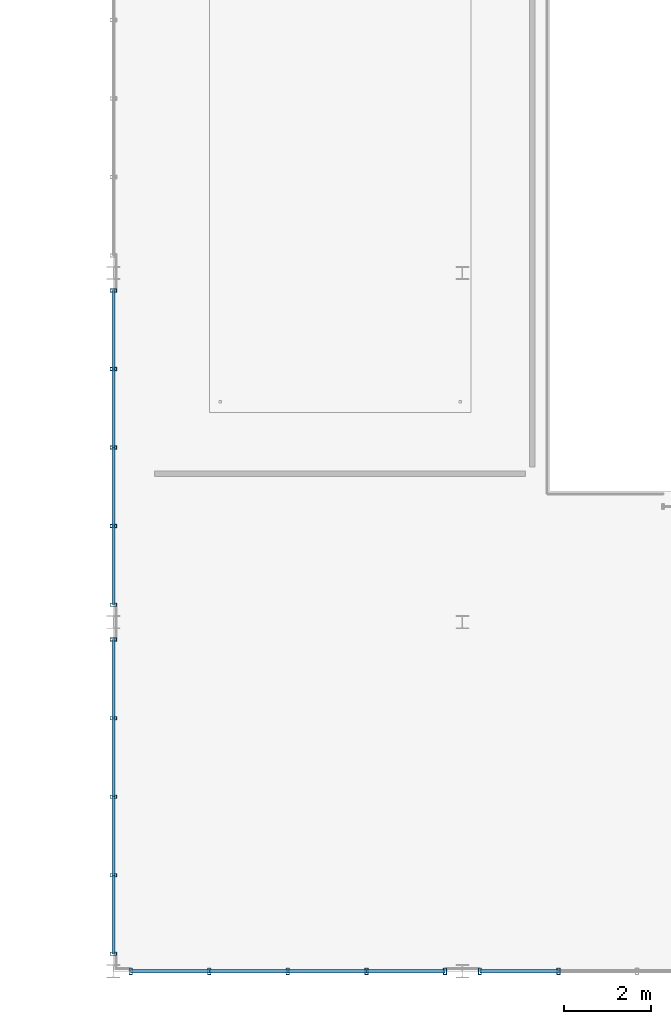
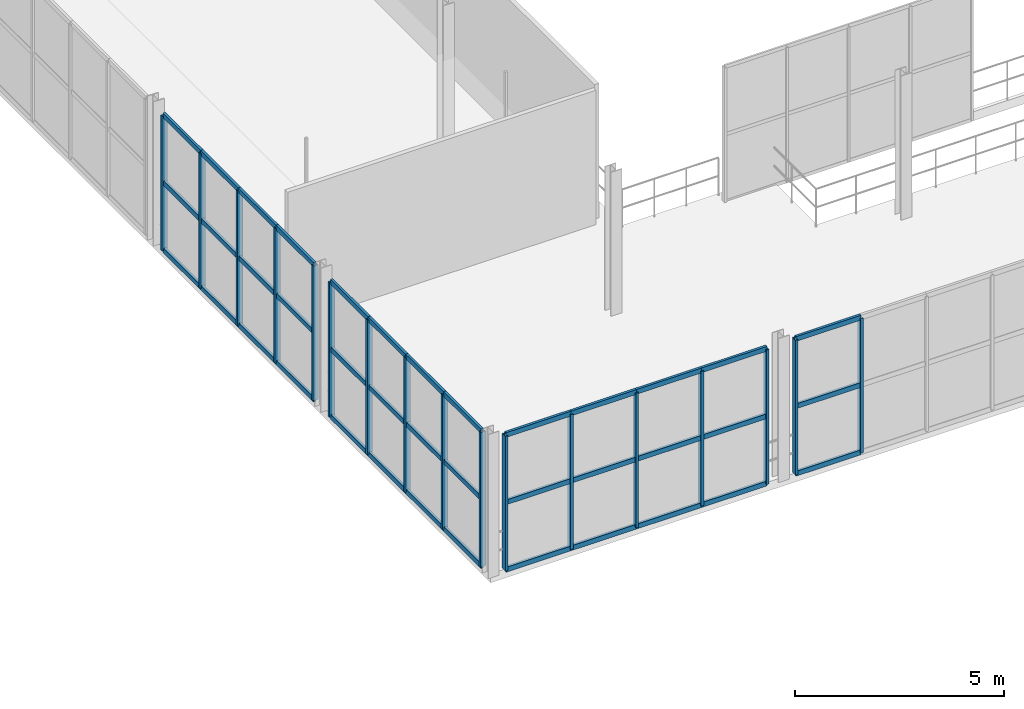
# One storey, part 12 of 67: 56 members, 4 elements without a shape of their own.
"""IFC4 building model written with IfcOpenShell, lengths in metres."""

import ifcopenshell
import ifcopenshell.guid

model = None  # the IFC model being written
_history = None  # IfcOwnerHistory: only IFC2X3 demands one
_inside = {}  # id of a spatial element -> (the spatial element, [elements in it])
_under = {}  # id of a project, library or spatial element -> (it, [spatial elements below it])
_declared = {}  # id of a project -> (the project, [libraries it declares])
_typed = {}  # id of a type object -> (the type object, [elements of that type])
_made_of = {}  # id of a material, layer set ... -> (it, [elements and type objects made of it])


def new_model(schema):
    """Start an empty IFC model of exactly this schema.

    Asked for "IFC4X3", IfcOpenShell would pick the latest addendum, in which some entities
    have other attributes; the version numbers below select the first issue.
    IFC2X3 requires an IfcOwnerHistory on every rooted entity: one is made here for all.
    """
    global model, _history
    if schema == "IFC4X3":
        model = ifcopenshell.file(schema_version=(4, 3, 0, 0))
    else:
        model = ifcopenshell.file(schema=schema)
    _inside.clear()
    _under.clear()
    _declared.clear()
    _typed.clear()
    _made_of.clear()
    _history = None
    if model.schema == "IFC2X3":
        org = make("IfcOrganization", Name="unknown")
        user = make(
            "IfcPersonAndOrganization",
            ThePerson=make("IfcPerson", FamilyName="unknown"),
            TheOrganization=org,
        )
        app = make(
            "IfcApplication",
            ApplicationDeveloper=org,
            Version="unknown",
            ApplicationFullName="unknown",
            ApplicationIdentifier="unknown",
        )
        _history = make(
            "IfcOwnerHistory",
            OwningUser=user,
            OwningApplication=app,
            ChangeAction="ADDED",
            CreationDate=0,
        )
    return model


def make(cls, **values):
    """One entity of the class cls with the attributes given. An attribute that is None is left unset."""
    return model.create_entity(
        cls, **{name: value for name, value in values.items() if value is not None}
    )


def rooted(cls, **values):
    """An entity with a GlobalId (a new one), such as an element, a storey or a relation."""
    return make(cls, GlobalId=ifcopenshell.guid.new(), OwnerHistory=_history, **values)


def si_unit(unit_type, name, prefix=None):
    """IfcSIUnit, for example si_unit("LENGTHUNIT", "METRE", prefix="MILLI")."""
    return make("IfcSIUnit", UnitType=unit_type, Prefix=prefix, Name=name)


def assignment(units):
    """IfcUnitAssignment: the units of a project."""
    return None if units is None else make("IfcUnitAssignment", Units=units)


def point(xyz):
    """IfcCartesianPoint."""
    return None if xyz is None else make("IfcCartesianPoint", Coordinates=xyz)


def direction(xyz):
    """IfcDirection."""
    return None if xyz is None else make("IfcDirection", DirectionRatios=xyz)


def frame(location, z_axis=None, x_axis=None):
    """IfcAxis2Placement3D, a coordinate frame: its origin and axes. An axis left out is left unset."""
    return make(
        "IfcAxis2Placement3D",
        Location=point(location),
        Axis=direction(z_axis),
        RefDirection=direction(x_axis),
    )


def frame_2d(location, x_axis=None):
    """IfcAxis2Placement2D, a coordinate frame in the plane: its origin and x axis."""
    return make(
        "IfcAxis2Placement2D", Location=point(location), RefDirection=direction(x_axis)
    )


def origin():
    """The frame at (0, 0, 0) with its axes left unset."""
    return frame((0.0, 0.0, 0.0))


def origin_2d():
    """The frame at (0, 0) in the plane with its x axis left unset."""
    return frame_2d((0.0, 0.0))


def place(relative_to, where):
    """IfcLocalPlacement: puts the frame where relative to a parent placement (None: the world)."""
    return make(
        "IfcLocalPlacement", PlacementRelTo=relative_to, RelativePlacement=where
    )


def context(
    kind, dimensions, precision=None, world=None, true_north=None, identifier=None
):
    """IfcGeometricRepresentationContext, for example the 3D "Model" context."""
    return make(
        "IfcGeometricRepresentationContext",
        ContextIdentifier=identifier,
        ContextType=kind,
        CoordinateSpaceDimension=dimensions,
        Precision=precision,
        WorldCoordinateSystem=world,
        TrueNorth=true_north,
    )


def subcontext(parent, identifier, kind, view, scale=None):
    """IfcGeometricRepresentationSubContext, for example "Body" below "Model"."""
    return make(
        "IfcGeometricRepresentationSubContext",
        ContextIdentifier=identifier,
        ContextType=kind,
        ParentContext=parent,
        TargetScale=scale,
        TargetView=view,
    )


def project(units=None, contexts=None):
    """IfcProject with its units and contexts."""
    return rooted(
        "IfcProject",
        Name="project",
        RepresentationContexts=contexts,
        UnitsInContext=assignment(units),
    )


def spatial(cls, under=None, at=None, **own):
    """A site, building, storey or space (cls), placed at a placement, below another one or the project."""
    s = rooted(cls, ObjectPlacement=at, **own)
    if under is not None:
        _under.setdefault(under.id(), (under, []))[1].append(s)
    return s


def profile(cls, at=None, kind="AREA", **sizes):
    """A parametric profile (cls). Its sizes go by their IFC names, for example OverallWidth=200.0."""
    return make(cls, ProfileType=kind, Position=at, **sizes)


def hollow_rectangle(**sizes):
    """IfcRectangleHollowProfileDef."""
    return profile("IfcRectangleHollowProfileDef", **sizes)


def extrude(swept, where, along, depth):
    """IfcExtrudedAreaSolid: the profile swept, set in the frame where, extruded along a direction by depth."""
    return make(
        "IfcExtrudedAreaSolid",
        SweptArea=swept,
        Position=where,
        ExtrudedDirection=direction(along),
        Depth=depth,
    )


def shape(context_of_items, identifier, shape_type, items):
    """IfcShapeRepresentation: the items that make up one representation, for example the "Body"."""
    return make(
        "IfcShapeRepresentation",
        ContextOfItems=context_of_items,
        RepresentationIdentifier=identifier,
        RepresentationType=shape_type,
        Items=items,
    )


def material(Name=None, Category=None):
    """IfcMaterial."""
    return make("IfcMaterial", Name=Name, Category=Category)


def material_profile(
    of_material, cross_section, Name=None, Category=None, Priority=None
):
    """IfcMaterialProfile: a cross section and its material."""
    return make(
        "IfcMaterialProfile",
        Name=Name,
        Material=of_material,
        Profile=cross_section,
        Priority=Priority,
        Category=Category,
    )


def profile_set(profiles, Name=None, composite=None):
    """IfcMaterialProfileSet."""
    return make(
        "IfcMaterialProfileSet",
        Name=Name,
        MaterialProfiles=profiles,
        CompositeProfile=composite,
    )


def made_of(thing, what):
    """Note that an element or type object is made of a material, layer set ...; save() writes the relation."""
    if what is not None:
        _made_of.setdefault(what.id(), (what, []))[1].append(thing)
    return thing


def type_object(cls, material=None, **own):
    """A type object (cls), such as IfcWallType, which elements share."""
    return made_of(rooted(cls, **own), material)


def element(
    cls,
    number,
    at=None,
    inside=None,
    cuts=None,
    type_object=None,
    material=None,
    context=None,
    identifier="Body",
    shape_type=None,
    held_by="IfcProductDefinitionShape",
    body=None,
    shapes=None,
    **own,
):
    """One element of the class cls, such as IfcWall. Its Tag is "e" and its number.

    at: its placement. inside: the storey or other place that contains it. cuts: it is an
    opening in that element (IfcRelVoidsElement). A single representation is given by context,
    identifier, shape_type and body (its items); several are given by shapes. held_by: the class
    of the entity that holds the representations. save() writes the other relations.
    """
    e = rooted(cls, Tag="e%d" % number, ObjectPlacement=at, **own)
    if body is not None:
        shapes = [shape(context, identifier, shape_type, body)]
    if shapes is not None:
        e.Representation = make(held_by, Representations=shapes)
    if inside is not None:
        _inside.setdefault(inside.id(), (inside, []))[1].append(e)
    if cuts is not None:
        rooted(
            "IfcRelVoidsElement", RelatingBuildingElement=cuts, RelatedOpeningElement=e
        )
    if type_object is not None:
        _typed.setdefault(type_object.id(), (type_object, []))[1].append(e)
    return made_of(e, material)


def aggregate(whole, parts):
    """IfcRelAggregates: a whole, such as a stair, and the parts it consists of."""
    return rooted("IfcRelAggregates", RelatingObject=whole, RelatedObjects=parts)


def save(model, path):
    """Write the relations noted so far, then the file.

    IfcRelAggregates (storeys below a building ...), IfcRelContainedInSpatialStructure (elements
    in a storey), IfcRelDefinesByType, IfcRelAssociatesMaterial and IfcRelDeclares: one each for
    every whole, place, type object, material and project.
    """
    for whole, parts in _under.values():
        aggregate(whole, parts)
    for where, things in _inside.values():
        rooted(
            "IfcRelContainedInSpatialStructure",
            RelatedElements=things,
            RelatingStructure=where,
        )
    for kind, things in _typed.values():
        rooted("IfcRelDefinesByType", RelatedObjects=things, RelatingType=kind)
    for what, things in _made_of.values():
        rooted("IfcRelAssociatesMaterial", RelatedObjects=things, RelatingMaterial=what)
    for by, libraries in _declared.values():
        rooted("IfcRelDeclares", RelatingContext=by, RelatedDefinitions=libraries)
    model.write(path)


model = new_model("IFC4")

# Units and contexts
model_context = context("Model", 3, precision=1e-05, world=origin(), true_north=direction((0.0, 1.0)))
body_context = subcontext(model_context, "Body", "Model", "MODEL_VIEW")
ifc_project = project(units=[si_unit("LENGTHUNIT", "METRE"), si_unit("AREAUNIT", "SQUARE_METRE"), si_unit("VOLUMEUNIT", "CUBIC_METRE"), si_unit("PLANEANGLEUNIT", "RADIAN"), si_unit("MASSUNIT", "GRAM", prefix="KILO")], contexts=[model_context])

# Site, building, storey
site_placement = place(None, origin())
site = spatial("IfcSite", under=ifc_project, at=site_placement, CompositionType="ELEMENT")
building_placement = place(site_placement, origin())
building = spatial("IfcBuilding", under=site, at=building_placement, Name="Sundkrona Museum", CompositionType="ELEMENT")
storey_placement = place(building_placement, frame((0.0, 0.0, 21.800048828125)))
storey = spatial("IfcBuildingStorey", under=building, at=storey_placement, Name="L04", CompositionType="ELEMENT", Elevation=21.800048828125)

# Curtain wall, members
ifc_material_1 = material(Name="Unitised Aluminium-Steel and Ceramic-Clad Curtain Walling", Category="steel")
curtain_wall_type = type_object("IfcCurtainWallType", Name="CW-AT-72x38", PredefinedType="NOTDEFINED", material=ifc_material_1)
curtain_wall_1_placement = place(storey_placement, origin())
curtain_wall_1 = element("IfcCurtainWall", 1, at=curtain_wall_1_placement, inside=storey, type_object=curtain_wall_type, Name="L04 Curtain Wall CW-L04-077", PredefinedType="NOTDEFINED")
ifc_material_2 = material(Name="Aluminium EN AW-6060 T66", Category="aluminium")
ifc_material_profile_1 = material_profile(ifc_material_2, hollow_rectangle(XDim=0.074951171875, YDim=0.14990234375, WallThickness=0.00634765625, at=origin_2d()), Name="RHS 150x75x6.3")
ifc_profile_set_1 = profile_set([ifc_material_profile_1], Name="Aluminium EN AW-6060 T66")
member_type_1 = type_object("IfcMemberType", Name="ML-150", PredefinedType="MULLION", material=ifc_profile_set_1)
member_1_placement = place(storey_placement, frame((80.39990234375, 0.0, -0.004150390625), z_axis=(0.0, 0.0, 1.0), x_axis=(1.0, 0.0, 0.0)))
member_1 = element("IfcMember", 2, at=member_1_placement, type_object=member_type_1, Name="CW-L04-077 Mullion 01", PredefinedType="MULLION", context=body_context, shape_type="SweptSolid", body=[
    extrude(hollow_rectangle(XDim=0.074951171875, YDim=0.14990234375, WallThickness=0.00634765625, at=origin_2d()), origin(), (0.0, 0.0, 1.0), 3.92822265625),
])
member_2_placement = place(storey_placement, frame((82.199951171875, 0.0, -0.004150390625), z_axis=(0.0, 0.0, 1.0), x_axis=(1.0, 0.0, 0.0)))
member_2 = element("IfcMember", 3, at=member_2_placement, type_object=member_type_1, Name="CW-L04-077 Mullion 02", PredefinedType="MULLION", context=body_context, shape_type="SweptSolid", body=[
    extrude(hollow_rectangle(XDim=0.074951171875, YDim=0.14990234375, WallThickness=0.00634765625, at=origin_2d()), origin(), (0.0, 0.0, 1.0), 3.92822265625),
])
member_3_placement = place(storey_placement, frame((84.0, 0.0, -0.004150390625), z_axis=(0.0, 0.0, 1.0), x_axis=(1.0, 0.0, 0.0)))
member_3 = element("IfcMember", 4, at=member_3_placement, type_object=member_type_1, Name="CW-L04-077 Mullion 03", PredefinedType="MULLION", context=body_context, shape_type="SweptSolid", body=[
    extrude(hollow_rectangle(XDim=0.074951171875, YDim=0.14990234375, WallThickness=0.00634765625, at=origin_2d()), origin(), (0.0, 0.0, 1.0), 3.92822265625),
])
member_4_placement = place(storey_placement, frame((85.800048828125, 0.0, -0.004150390625), z_axis=(0.0, 0.0, 1.0), x_axis=(1.0, 0.0, 0.0)))
member_4 = element("IfcMember", 5, at=member_4_placement, type_object=member_type_1, Name="CW-L04-077 Mullion 04", PredefinedType="MULLION", context=body_context, shape_type="SweptSolid", body=[
    extrude(hollow_rectangle(XDim=0.074951171875, YDim=0.14990234375, WallThickness=0.00634765625, at=origin_2d()), origin(), (0.0, 0.0, 1.0), 3.92822265625),
])
member_5_placement = place(storey_placement, frame((87.60009765625, 0.0, -0.004150390625), z_axis=(0.0, 0.0, 1.0), x_axis=(1.0, 0.0, 0.0)))
member_5 = element("IfcMember", 6, at=member_5_placement, type_object=member_type_1, Name="CW-L04-077 Mullion 05", PredefinedType="MULLION", context=body_context, shape_type="SweptSolid", body=[
    extrude(hollow_rectangle(XDim=0.074951171875, YDim=0.14990234375, WallThickness=0.00634765625, at=origin_2d()), origin(), (0.0, 0.0, 1.0), 3.92822265625),
])

curtain_wall_2_placement = place(storey_placement, origin())
curtain_wall_2 = element("IfcCurtainWall", 7, at=curtain_wall_2_placement, inside=storey, type_object=curtain_wall_type, Name="L04 Curtain Wall CW-L04-078", PredefinedType="NOTDEFINED")
member_6_placement = place(storey_placement, frame((88.39990234375, 0.0, -0.004150390625), z_axis=(0.0, 0.0, 1.0), x_axis=(1.0, 0.0, 0.0)))
member_6 = element("IfcMember", 8, at=member_6_placement, type_object=member_type_1, Name="CW-L04-078 Mullion 01", PredefinedType="MULLION", context=body_context, shape_type="SweptSolid", body=[
    extrude(hollow_rectangle(XDim=0.074951171875, YDim=0.14990234375, WallThickness=0.00634765625, at=origin_2d()), origin(), (0.0, 0.0, 1.0), 3.92822265625),
])
member_7_placement = place(storey_placement, frame((90.199951171875, 0.0, -0.004150390625), z_axis=(0.0, 0.0, 1.0), x_axis=(1.0, 0.0, 0.0)))
member_7 = element("IfcMember", 9, at=member_7_placement, type_object=member_type_1, Name="CW-L04-078 Mullion 02", PredefinedType="MULLION", context=body_context, shape_type="SweptSolid", body=[
    extrude(hollow_rectangle(XDim=0.074951171875, YDim=0.14990234375, WallThickness=0.00634765625, at=origin_2d()), origin(), (0.0, 0.0, 1.0), 3.92822265625),
])

curtain_wall_3_placement = place(storey_placement, origin())
curtain_wall_3 = element("IfcCurtainWall", 10, at=curtain_wall_3_placement, inside=storey, type_object=curtain_wall_type, Name="L04 Curtain Wall CW-L04-082", PredefinedType="NOTDEFINED")
member_8_placement = place(storey_placement, frame((80.0, 0.39990234375, -0.004150390625), z_axis=(0.0, 0.0, 1.0), x_axis=(0.0, 1.0, 0.0)))
member_8 = element("IfcMember", 11, at=member_8_placement, type_object=member_type_1, Name="CW-L04-082 Mullion 01", PredefinedType="MULLION", context=body_context, shape_type="SweptSolid", body=[
    extrude(hollow_rectangle(XDim=0.074951171875, YDim=0.14990234375, WallThickness=0.00634765625, at=origin_2d()), origin(), (0.0, 0.0, 1.0), 3.92822265625),
])
member_9_placement = place(storey_placement, frame((80.0, 2.199951171875, -0.004150390625), z_axis=(0.0, 0.0, 1.0), x_axis=(0.0, 1.0, 0.0)))
member_9 = element("IfcMember", 12, at=member_9_placement, type_object=member_type_1, Name="CW-L04-082 Mullion 02", PredefinedType="MULLION", context=body_context, shape_type="SweptSolid", body=[
    extrude(hollow_rectangle(XDim=0.074951171875, YDim=0.14990234375, WallThickness=0.00634765625, at=origin_2d()), origin(), (0.0, 0.0, 1.0), 3.92822265625),
])
member_10_placement = place(storey_placement, frame((80.0, 4.0, -0.004150390625), z_axis=(0.0, 0.0, 1.0), x_axis=(0.0, 1.0, 0.0)))
member_10 = element("IfcMember", 13, at=member_10_placement, type_object=member_type_1, Name="CW-L04-082 Mullion 03", PredefinedType="MULLION", context=body_context, shape_type="SweptSolid", body=[
    extrude(hollow_rectangle(XDim=0.074951171875, YDim=0.14990234375, WallThickness=0.00634765625, at=origin_2d()), origin(), (0.0, 0.0, 1.0), 3.92822265625),
])
member_11_placement = place(storey_placement, frame((80.0, 5.800048828125, -0.004150390625), z_axis=(0.0, 0.0, 1.0), x_axis=(0.0, 1.0, 0.0)))
member_11 = element("IfcMember", 14, at=member_11_placement, type_object=member_type_1, Name="CW-L04-082 Mullion 04", PredefinedType="MULLION", context=body_context, shape_type="SweptSolid", body=[
    extrude(hollow_rectangle(XDim=0.074951171875, YDim=0.14990234375, WallThickness=0.00634765625, at=origin_2d()), origin(), (0.0, 0.0, 1.0), 3.92822265625),
])
member_12_placement = place(storey_placement, frame((80.0, 7.60009765625, -0.004150390625), z_axis=(0.0, 0.0, 1.0), x_axis=(0.0, 1.0, 0.0)))
member_12 = element("IfcMember", 15, at=member_12_placement, type_object=member_type_1, Name="CW-L04-082 Mullion 05", PredefinedType="MULLION", context=body_context, shape_type="SweptSolid", body=[
    extrude(hollow_rectangle(XDim=0.074951171875, YDim=0.14990234375, WallThickness=0.00634765625, at=origin_2d()), origin(), (0.0, 0.0, 1.0), 3.92822265625),
])

curtain_wall_4_placement = place(storey_placement, origin())
curtain_wall_4 = element("IfcCurtainWall", 16, at=curtain_wall_4_placement, inside=storey, type_object=curtain_wall_type, Name="L04 Curtain Wall CW-L04-083", PredefinedType="NOTDEFINED")
member_13_placement = place(storey_placement, frame((80.0, 8.39990234375, -0.004150390625), z_axis=(0.0, 0.0, 1.0), x_axis=(0.0, 1.0, 0.0)))
member_13 = element("IfcMember", 17, at=member_13_placement, type_object=member_type_1, Name="CW-L04-083 Mullion 01", PredefinedType="MULLION", context=body_context, shape_type="SweptSolid", body=[
    extrude(hollow_rectangle(XDim=0.074951171875, YDim=0.14990234375, WallThickness=0.00634765625, at=origin_2d()), origin(), (0.0, 0.0, 1.0), 3.92822265625),
])
member_14_placement = place(storey_placement, frame((80.0, 10.199951171875, -0.004150390625), z_axis=(0.0, 0.0, 1.0), x_axis=(0.0, 1.0, 0.0)))
member_14 = element("IfcMember", 18, at=member_14_placement, type_object=member_type_1, Name="CW-L04-083 Mullion 02", PredefinedType="MULLION", context=body_context, shape_type="SweptSolid", body=[
    extrude(hollow_rectangle(XDim=0.074951171875, YDim=0.14990234375, WallThickness=0.00634765625, at=origin_2d()), origin(), (0.0, 0.0, 1.0), 3.92822265625),
])
member_15_placement = place(storey_placement, frame((80.0, 12.0, -0.004150390625), z_axis=(0.0, 0.0, 1.0), x_axis=(0.0, 1.0, 0.0)))
member_15 = element("IfcMember", 19, at=member_15_placement, type_object=member_type_1, Name="CW-L04-083 Mullion 03", PredefinedType="MULLION", context=body_context, shape_type="SweptSolid", body=[
    extrude(hollow_rectangle(XDim=0.074951171875, YDim=0.14990234375, WallThickness=0.00634765625, at=origin_2d()), origin(), (0.0, 0.0, 1.0), 3.92822265625),
])
member_16_placement = place(storey_placement, frame((80.0, 13.800048828125, -0.004150390625), z_axis=(0.0, 0.0, 1.0), x_axis=(0.0, 1.0, 0.0)))
member_16 = element("IfcMember", 20, at=member_16_placement, type_object=member_type_1, Name="CW-L04-083 Mullion 04", PredefinedType="MULLION", context=body_context, shape_type="SweptSolid", body=[
    extrude(hollow_rectangle(XDim=0.074951171875, YDim=0.14990234375, WallThickness=0.00634765625, at=origin_2d()), origin(), (0.0, 0.0, 1.0), 3.92822265625),
])
member_17_placement = place(storey_placement, frame((80.0, 15.60009765625, -0.004150390625), z_axis=(0.0, 0.0, 1.0), x_axis=(0.0, 1.0, 0.0)))
member_17 = element("IfcMember", 21, at=member_17_placement, type_object=member_type_1, Name="CW-L04-083 Mullion 05", PredefinedType="MULLION", context=body_context, shape_type="SweptSolid", body=[
    extrude(hollow_rectangle(XDim=0.074951171875, YDim=0.14990234375, WallThickness=0.00634765625, at=origin_2d()), origin(), (0.0, 0.0, 1.0), 3.92822265625),
])

# Member
ifc_material_profile_2 = material_profile(ifc_material_2, hollow_rectangle(XDim=0.070068359375, YDim=0.139892578125, WallThickness=0.0048828125, at=origin_2d()), Name="RHS 140x70x5.0")
ifc_profile_set_2 = profile_set([ifc_material_profile_2], Name="Aluminium EN AW-6060 T66")
member_type_2 = type_object("IfcMemberType", Name="TR-140", PredefinedType="USERDEFINED", material=ifc_profile_set_2)
member_18_placement = place(storey_placement, frame((80.39990234375, 0.0, -0.004150390625), z_axis=(1.0, 0.0, 0.0), x_axis=(0.0, 1.0, 0.0)))
member_18 = element("IfcMember", 22, at=member_18_placement, type_object=member_type_2, Name="CW-L04-077 Transom 01", ObjectType="TRANSOM", PredefinedType="USERDEFINED", context=body_context, shape_type="SweptSolid", body=[
    extrude(hollow_rectangle(XDim=0.070068359375, YDim=0.139892578125, WallThickness=0.0048828125, at=origin_2d()), origin(), (0.0, 0.0, 1.0), 1.800048828125),
])

member_19_placement = place(storey_placement, frame((80.39990234375, 0.0, 1.9599609375), z_axis=(1.0, 0.0, 0.0), x_axis=(0.0, 1.0, 0.0)))
member_19 = element("IfcMember", 23, at=member_19_placement, type_object=member_type_2, Name="CW-L04-077 Transom 02", ObjectType="TRANSOM", PredefinedType="USERDEFINED", context=body_context, shape_type="SweptSolid", body=[
    extrude(hollow_rectangle(XDim=0.070068359375, YDim=0.139892578125, WallThickness=0.0048828125, at=origin_2d()), origin(), (0.0, 0.0, 1.0), 1.800048828125),
])

member_20_placement = place(storey_placement, frame((80.39990234375, 0.0, 3.924072265625), z_axis=(1.0, 0.0, 0.0), x_axis=(0.0, 1.0, 0.0)))
member_20 = element("IfcMember", 24, at=member_20_placement, type_object=member_type_2, Name="CW-L04-077 Transom 03", ObjectType="TRANSOM", PredefinedType="USERDEFINED", context=body_context, shape_type="SweptSolid", body=[
    extrude(hollow_rectangle(XDim=0.070068359375, YDim=0.139892578125, WallThickness=0.0048828125, at=origin_2d()), origin(), (0.0, 0.0, 1.0), 1.800048828125),
])

member_21_placement = place(storey_placement, frame((82.199951171875, 0.0, -0.004150390625), z_axis=(1.0, 0.0, 0.0), x_axis=(0.0, 1.0, 0.0)))
member_21 = element("IfcMember", 25, at=member_21_placement, type_object=member_type_2, Name="CW-L04-077 Transom 04", ObjectType="TRANSOM", PredefinedType="USERDEFINED", context=body_context, shape_type="SweptSolid", body=[
    extrude(hollow_rectangle(XDim=0.070068359375, YDim=0.139892578125, WallThickness=0.0048828125, at=origin_2d()), origin(), (0.0, 0.0, 1.0), 1.800048828125),
])

member_22_placement = place(storey_placement, frame((82.199951171875, 0.0, 1.9599609375), z_axis=(1.0, 0.0, 0.0), x_axis=(0.0, 1.0, 0.0)))
member_22 = element("IfcMember", 26, at=member_22_placement, type_object=member_type_2, Name="CW-L04-077 Transom 05", ObjectType="TRANSOM", PredefinedType="USERDEFINED", context=body_context, shape_type="SweptSolid", body=[
    extrude(hollow_rectangle(XDim=0.070068359375, YDim=0.139892578125, WallThickness=0.0048828125, at=origin_2d()), origin(), (0.0, 0.0, 1.0), 1.800048828125),
])

member_23_placement = place(storey_placement, frame((82.199951171875, 0.0, 3.924072265625), z_axis=(1.0, 0.0, 0.0), x_axis=(0.0, 1.0, 0.0)))
member_23 = element("IfcMember", 27, at=member_23_placement, type_object=member_type_2, Name="CW-L04-077 Transom 06", ObjectType="TRANSOM", PredefinedType="USERDEFINED", context=body_context, shape_type="SweptSolid", body=[
    extrude(hollow_rectangle(XDim=0.070068359375, YDim=0.139892578125, WallThickness=0.0048828125, at=origin_2d()), origin(), (0.0, 0.0, 1.0), 1.800048828125),
])

member_24_placement = place(storey_placement, frame((84.0, 0.0, -0.004150390625), z_axis=(1.0, 0.0, 0.0), x_axis=(0.0, 1.0, 0.0)))
member_24 = element("IfcMember", 28, at=member_24_placement, type_object=member_type_2, Name="CW-L04-077 Transom 07", ObjectType="TRANSOM", PredefinedType="USERDEFINED", context=body_context, shape_type="SweptSolid", body=[
    extrude(hollow_rectangle(XDim=0.070068359375, YDim=0.139892578125, WallThickness=0.0048828125, at=origin_2d()), origin(), (0.0, 0.0, 1.0), 1.800048828125),
])

member_25_placement = place(storey_placement, frame((84.0, 0.0, 1.9599609375), z_axis=(1.0, 0.0, 0.0), x_axis=(0.0, 1.0, 0.0)))
member_25 = element("IfcMember", 29, at=member_25_placement, type_object=member_type_2, Name="CW-L04-077 Transom 08", ObjectType="TRANSOM", PredefinedType="USERDEFINED", context=body_context, shape_type="SweptSolid", body=[
    extrude(hollow_rectangle(XDim=0.070068359375, YDim=0.139892578125, WallThickness=0.0048828125, at=origin_2d()), origin(), (0.0, 0.0, 1.0), 1.800048828125),
])

member_26_placement = place(storey_placement, frame((84.0, 0.0, 3.924072265625), z_axis=(1.0, 0.0, 0.0), x_axis=(0.0, 1.0, 0.0)))
member_26 = element("IfcMember", 30, at=member_26_placement, type_object=member_type_2, Name="CW-L04-077 Transom 09", ObjectType="TRANSOM", PredefinedType="USERDEFINED", context=body_context, shape_type="SweptSolid", body=[
    extrude(hollow_rectangle(XDim=0.070068359375, YDim=0.139892578125, WallThickness=0.0048828125, at=origin_2d()), origin(), (0.0, 0.0, 1.0), 1.800048828125),
])

member_27_placement = place(storey_placement, frame((85.800048828125, 0.0, -0.004150390625), z_axis=(1.0, 0.0, 0.0), x_axis=(0.0, 1.0, 0.0)))
member_27 = element("IfcMember", 31, at=member_27_placement, type_object=member_type_2, Name="CW-L04-077 Transom 10", ObjectType="TRANSOM", PredefinedType="USERDEFINED", context=body_context, shape_type="SweptSolid", body=[
    extrude(hollow_rectangle(XDim=0.070068359375, YDim=0.139892578125, WallThickness=0.0048828125, at=origin_2d()), origin(), (0.0, 0.0, 1.0), 1.800048828125),
])

member_28_placement = place(storey_placement, frame((85.800048828125, 0.0, 1.9599609375), z_axis=(1.0, 0.0, 0.0), x_axis=(0.0, 1.0, 0.0)))
member_28 = element("IfcMember", 32, at=member_28_placement, type_object=member_type_2, Name="CW-L04-077 Transom 11", ObjectType="TRANSOM", PredefinedType="USERDEFINED", context=body_context, shape_type="SweptSolid", body=[
    extrude(hollow_rectangle(XDim=0.070068359375, YDim=0.139892578125, WallThickness=0.0048828125, at=origin_2d()), origin(), (0.0, 0.0, 1.0), 1.800048828125),
])

member_29_placement = place(storey_placement, frame((85.800048828125, 0.0, 3.924072265625), z_axis=(1.0, 0.0, 0.0), x_axis=(0.0, 1.0, 0.0)))
member_29 = element("IfcMember", 33, at=member_29_placement, type_object=member_type_2, Name="CW-L04-077 Transom 12", ObjectType="TRANSOM", PredefinedType="USERDEFINED", context=body_context, shape_type="SweptSolid", body=[
    extrude(hollow_rectangle(XDim=0.070068359375, YDim=0.139892578125, WallThickness=0.0048828125, at=origin_2d()), origin(), (0.0, 0.0, 1.0), 1.800048828125),
])

aggregate(curtain_wall_1, [member_1, member_2, member_3, member_4, member_5, member_18, member_19, member_20, member_21, member_22, member_23, member_24, member_25, member_26, member_27, member_28, member_29])

member_30_placement = place(storey_placement, frame((88.39990234375, 0.0, -0.004150390625), z_axis=(1.0, 0.0, 0.0), x_axis=(0.0, 1.0, 0.0)))
member_30 = element("IfcMember", 34, at=member_30_placement, type_object=member_type_2, Name="CW-L04-078 Transom 01", ObjectType="TRANSOM", PredefinedType="USERDEFINED", context=body_context, shape_type="SweptSolid", body=[
    extrude(hollow_rectangle(XDim=0.070068359375, YDim=0.139892578125, WallThickness=0.0048828125, at=origin_2d()), origin(), (0.0, 0.0, 1.0), 1.800048828125),
])

member_31_placement = place(storey_placement, frame((88.39990234375, 0.0, 1.9599609375), z_axis=(1.0, 0.0, 0.0), x_axis=(0.0, 1.0, 0.0)))
member_31 = element("IfcMember", 35, at=member_31_placement, type_object=member_type_2, Name="CW-L04-078 Transom 02", ObjectType="TRANSOM", PredefinedType="USERDEFINED", context=body_context, shape_type="SweptSolid", body=[
    extrude(hollow_rectangle(XDim=0.070068359375, YDim=0.139892578125, WallThickness=0.0048828125, at=origin_2d()), origin(), (0.0, 0.0, 1.0), 1.800048828125),
])

member_32_placement = place(storey_placement, frame((88.39990234375, 0.0, 3.924072265625), z_axis=(1.0, 0.0, 0.0), x_axis=(0.0, 1.0, 0.0)))
member_32 = element("IfcMember", 36, at=member_32_placement, type_object=member_type_2, Name="CW-L04-078 Transom 03", ObjectType="TRANSOM", PredefinedType="USERDEFINED", context=body_context, shape_type="SweptSolid", body=[
    extrude(hollow_rectangle(XDim=0.070068359375, YDim=0.139892578125, WallThickness=0.0048828125, at=origin_2d()), origin(), (0.0, 0.0, 1.0), 1.800048828125),
])

aggregate(curtain_wall_2, [member_6, member_7, member_30, member_31, member_32])

member_33_placement = place(storey_placement, frame((80.0, 0.39990234375, -0.004150390625), z_axis=(0.0, 1.0, 0.0), x_axis=(-1.0, 0.0, 0.0)))
member_33 = element("IfcMember", 37, at=member_33_placement, type_object=member_type_2, Name="CW-L04-082 Transom 01", ObjectType="TRANSOM", PredefinedType="USERDEFINED", context=body_context, shape_type="SweptSolid", body=[
    extrude(hollow_rectangle(XDim=0.070068359375, YDim=0.139892578125, WallThickness=0.0048828125, at=origin_2d()), origin(), (0.0, 0.0, 1.0), 1.800048828125),
])

member_34_placement = place(storey_placement, frame((80.0, 0.39990234375, 1.9599609375), z_axis=(0.0, 1.0, 0.0), x_axis=(-1.0, 0.0, 0.0)))
member_34 = element("IfcMember", 38, at=member_34_placement, type_object=member_type_2, Name="CW-L04-082 Transom 02", ObjectType="TRANSOM", PredefinedType="USERDEFINED", context=body_context, shape_type="SweptSolid", body=[
    extrude(hollow_rectangle(XDim=0.070068359375, YDim=0.139892578125, WallThickness=0.0048828125, at=origin_2d()), origin(), (0.0, 0.0, 1.0), 1.800048828125),
])

member_35_placement = place(storey_placement, frame((80.0, 0.39990234375, 3.924072265625), z_axis=(0.0, 1.0, 0.0), x_axis=(-1.0, 0.0, 0.0)))
member_35 = element("IfcMember", 39, at=member_35_placement, type_object=member_type_2, Name="CW-L04-082 Transom 03", ObjectType="TRANSOM", PredefinedType="USERDEFINED", context=body_context, shape_type="SweptSolid", body=[
    extrude(hollow_rectangle(XDim=0.070068359375, YDim=0.139892578125, WallThickness=0.0048828125, at=origin_2d()), origin(), (0.0, 0.0, 1.0), 1.800048828125),
])

member_36_placement = place(storey_placement, frame((80.0, 2.199951171875, -0.004150390625), z_axis=(0.0, 1.0, 0.0), x_axis=(-1.0, 0.0, 0.0)))
member_36 = element("IfcMember", 40, at=member_36_placement, type_object=member_type_2, Name="CW-L04-082 Transom 04", ObjectType="TRANSOM", PredefinedType="USERDEFINED", context=body_context, shape_type="SweptSolid", body=[
    extrude(hollow_rectangle(XDim=0.070068359375, YDim=0.139892578125, WallThickness=0.0048828125, at=origin_2d()), origin(), (0.0, 0.0, 1.0), 1.800048828125),
])

member_37_placement = place(storey_placement, frame((80.0, 2.199951171875, 1.9599609375), z_axis=(0.0, 1.0, 0.0), x_axis=(-1.0, 0.0, 0.0)))
member_37 = element("IfcMember", 41, at=member_37_placement, type_object=member_type_2, Name="CW-L04-082 Transom 05", ObjectType="TRANSOM", PredefinedType="USERDEFINED", context=body_context, shape_type="SweptSolid", body=[
    extrude(hollow_rectangle(XDim=0.070068359375, YDim=0.139892578125, WallThickness=0.0048828125, at=origin_2d()), origin(), (0.0, 0.0, 1.0), 1.800048828125),
])

member_38_placement = place(storey_placement, frame((80.0, 2.199951171875, 3.924072265625), z_axis=(0.0, 1.0, 0.0), x_axis=(-1.0, 0.0, 0.0)))
member_38 = element("IfcMember", 42, at=member_38_placement, type_object=member_type_2, Name="CW-L04-082 Transom 06", ObjectType="TRANSOM", PredefinedType="USERDEFINED", context=body_context, shape_type="SweptSolid", body=[
    extrude(hollow_rectangle(XDim=0.070068359375, YDim=0.139892578125, WallThickness=0.0048828125, at=origin_2d()), origin(), (0.0, 0.0, 1.0), 1.800048828125),
])

member_39_placement = place(storey_placement, frame((80.0, 4.0, -0.004150390625), z_axis=(0.0, 1.0, 0.0), x_axis=(-1.0, 0.0, 0.0)))
member_39 = element("IfcMember", 43, at=member_39_placement, type_object=member_type_2, Name="CW-L04-082 Transom 07", ObjectType="TRANSOM", PredefinedType="USERDEFINED", context=body_context, shape_type="SweptSolid", body=[
    extrude(hollow_rectangle(XDim=0.070068359375, YDim=0.139892578125, WallThickness=0.0048828125, at=origin_2d()), origin(), (0.0, 0.0, 1.0), 1.800048828125),
])

member_40_placement = place(storey_placement, frame((80.0, 4.0, 1.9599609375), z_axis=(0.0, 1.0, 0.0), x_axis=(-1.0, 0.0, 0.0)))
member_40 = element("IfcMember", 44, at=member_40_placement, type_object=member_type_2, Name="CW-L04-082 Transom 08", ObjectType="TRANSOM", PredefinedType="USERDEFINED", context=body_context, shape_type="SweptSolid", body=[
    extrude(hollow_rectangle(XDim=0.070068359375, YDim=0.139892578125, WallThickness=0.0048828125, at=origin_2d()), origin(), (0.0, 0.0, 1.0), 1.800048828125),
])

member_41_placement = place(storey_placement, frame((80.0, 4.0, 3.924072265625), z_axis=(0.0, 1.0, 0.0), x_axis=(-1.0, 0.0, 0.0)))
member_41 = element("IfcMember", 45, at=member_41_placement, type_object=member_type_2, Name="CW-L04-082 Transom 09", ObjectType="TRANSOM", PredefinedType="USERDEFINED", context=body_context, shape_type="SweptSolid", body=[
    extrude(hollow_rectangle(XDim=0.070068359375, YDim=0.139892578125, WallThickness=0.0048828125, at=origin_2d()), origin(), (0.0, 0.0, 1.0), 1.800048828125),
])

member_42_placement = place(storey_placement, frame((80.0, 5.800048828125, -0.004150390625), z_axis=(0.0, 1.0, 0.0), x_axis=(-1.0, 0.0, 0.0)))
member_42 = element("IfcMember", 46, at=member_42_placement, type_object=member_type_2, Name="CW-L04-082 Transom 10", ObjectType="TRANSOM", PredefinedType="USERDEFINED", context=body_context, shape_type="SweptSolid", body=[
    extrude(hollow_rectangle(XDim=0.070068359375, YDim=0.139892578125, WallThickness=0.0048828125, at=origin_2d()), origin(), (0.0, 0.0, 1.0), 1.800048828125),
])

member_43_placement = place(storey_placement, frame((80.0, 5.800048828125, 1.9599609375), z_axis=(0.0, 1.0, 0.0), x_axis=(-1.0, 0.0, 0.0)))
member_43 = element("IfcMember", 47, at=member_43_placement, type_object=member_type_2, Name="CW-L04-082 Transom 11", ObjectType="TRANSOM", PredefinedType="USERDEFINED", context=body_context, shape_type="SweptSolid", body=[
    extrude(hollow_rectangle(XDim=0.070068359375, YDim=0.139892578125, WallThickness=0.0048828125, at=origin_2d()), origin(), (0.0, 0.0, 1.0), 1.800048828125),
])

member_44_placement = place(storey_placement, frame((80.0, 5.800048828125, 3.924072265625), z_axis=(0.0, 1.0, 0.0), x_axis=(-1.0, 0.0, 0.0)))
member_44 = element("IfcMember", 48, at=member_44_placement, type_object=member_type_2, Name="CW-L04-082 Transom 12", ObjectType="TRANSOM", PredefinedType="USERDEFINED", context=body_context, shape_type="SweptSolid", body=[
    extrude(hollow_rectangle(XDim=0.070068359375, YDim=0.139892578125, WallThickness=0.0048828125, at=origin_2d()), origin(), (0.0, 0.0, 1.0), 1.800048828125),
])

aggregate(curtain_wall_3, [member_8, member_9, member_10, member_11, member_12, member_33, member_34, member_35, member_36, member_37, member_38, member_39, member_40, member_41, member_42, member_43, member_44])

member_45_placement = place(storey_placement, frame((80.0, 8.39990234375, -0.004150390625), z_axis=(0.0, 1.0, 0.0), x_axis=(-1.0, 0.0, 0.0)))
member_45 = element("IfcMember", 49, at=member_45_placement, type_object=member_type_2, Name="CW-L04-083 Transom 01", ObjectType="TRANSOM", PredefinedType="USERDEFINED", context=body_context, shape_type="SweptSolid", body=[
    extrude(hollow_rectangle(XDim=0.070068359375, YDim=0.139892578125, WallThickness=0.0048828125, at=origin_2d()), origin(), (0.0, 0.0, 1.0), 1.800048828125),
])

member_46_placement = place(storey_placement, frame((80.0, 8.39990234375, 1.9599609375), z_axis=(0.0, 1.0, 0.0), x_axis=(-1.0, 0.0, 0.0)))
member_46 = element("IfcMember", 50, at=member_46_placement, type_object=member_type_2, Name="CW-L04-083 Transom 02", ObjectType="TRANSOM", PredefinedType="USERDEFINED", context=body_context, shape_type="SweptSolid", body=[
    extrude(hollow_rectangle(XDim=0.070068359375, YDim=0.139892578125, WallThickness=0.0048828125, at=origin_2d()), origin(), (0.0, 0.0, 1.0), 1.800048828125),
])

member_47_placement = place(storey_placement, frame((80.0, 8.39990234375, 3.924072265625), z_axis=(0.0, 1.0, 0.0), x_axis=(-1.0, 0.0, 0.0)))
member_47 = element("IfcMember", 51, at=member_47_placement, type_object=member_type_2, Name="CW-L04-083 Transom 03", ObjectType="TRANSOM", PredefinedType="USERDEFINED", context=body_context, shape_type="SweptSolid", body=[
    extrude(hollow_rectangle(XDim=0.070068359375, YDim=0.139892578125, WallThickness=0.0048828125, at=origin_2d()), origin(), (0.0, 0.0, 1.0), 1.800048828125),
])

member_48_placement = place(storey_placement, frame((80.0, 10.199951171875, -0.004150390625), z_axis=(0.0, 1.0, 0.0), x_axis=(-1.0, 0.0, 0.0)))
member_48 = element("IfcMember", 52, at=member_48_placement, type_object=member_type_2, Name="CW-L04-083 Transom 04", ObjectType="TRANSOM", PredefinedType="USERDEFINED", context=body_context, shape_type="SweptSolid", body=[
    extrude(hollow_rectangle(XDim=0.070068359375, YDim=0.139892578125, WallThickness=0.0048828125, at=origin_2d()), origin(), (0.0, 0.0, 1.0), 1.800048828125),
])

member_49_placement = place(storey_placement, frame((80.0, 10.199951171875, 1.9599609375), z_axis=(0.0, 1.0, 0.0), x_axis=(-1.0, 0.0, 0.0)))
member_49 = element("IfcMember", 53, at=member_49_placement, type_object=member_type_2, Name="CW-L04-083 Transom 05", ObjectType="TRANSOM", PredefinedType="USERDEFINED", context=body_context, shape_type="SweptSolid", body=[
    extrude(hollow_rectangle(XDim=0.070068359375, YDim=0.139892578125, WallThickness=0.0048828125, at=origin_2d()), origin(), (0.0, 0.0, 1.0), 1.800048828125),
])

member_50_placement = place(storey_placement, frame((80.0, 10.199951171875, 3.924072265625), z_axis=(0.0, 1.0, 0.0), x_axis=(-1.0, 0.0, 0.0)))
member_50 = element("IfcMember", 54, at=member_50_placement, type_object=member_type_2, Name="CW-L04-083 Transom 06", ObjectType="TRANSOM", PredefinedType="USERDEFINED", context=body_context, shape_type="SweptSolid", body=[
    extrude(hollow_rectangle(XDim=0.070068359375, YDim=0.139892578125, WallThickness=0.0048828125, at=origin_2d()), origin(), (0.0, 0.0, 1.0), 1.800048828125),
])

member_51_placement = place(storey_placement, frame((80.0, 12.0, -0.004150390625), z_axis=(0.0, 1.0, 0.0), x_axis=(-1.0, 0.0, 0.0)))
member_51 = element("IfcMember", 55, at=member_51_placement, type_object=member_type_2, Name="CW-L04-083 Transom 07", ObjectType="TRANSOM", PredefinedType="USERDEFINED", context=body_context, shape_type="SweptSolid", body=[
    extrude(hollow_rectangle(XDim=0.070068359375, YDim=0.139892578125, WallThickness=0.0048828125, at=origin_2d()), origin(), (0.0, 0.0, 1.0), 1.800048828125),
])

member_52_placement = place(storey_placement, frame((80.0, 12.0, 1.9599609375), z_axis=(0.0, 1.0, 0.0), x_axis=(-1.0, 0.0, 0.0)))
member_52 = element("IfcMember", 56, at=member_52_placement, type_object=member_type_2, Name="CW-L04-083 Transom 08", ObjectType="TRANSOM", PredefinedType="USERDEFINED", context=body_context, shape_type="SweptSolid", body=[
    extrude(hollow_rectangle(XDim=0.070068359375, YDim=0.139892578125, WallThickness=0.0048828125, at=origin_2d()), origin(), (0.0, 0.0, 1.0), 1.800048828125),
])

member_53_placement = place(storey_placement, frame((80.0, 12.0, 3.924072265625), z_axis=(0.0, 1.0, 0.0), x_axis=(-1.0, 0.0, 0.0)))
member_53 = element("IfcMember", 57, at=member_53_placement, type_object=member_type_2, Name="CW-L04-083 Transom 09", ObjectType="TRANSOM", PredefinedType="USERDEFINED", context=body_context, shape_type="SweptSolid", body=[
    extrude(hollow_rectangle(XDim=0.070068359375, YDim=0.139892578125, WallThickness=0.0048828125, at=origin_2d()), origin(), (0.0, 0.0, 1.0), 1.800048828125),
])

member_54_placement = place(storey_placement, frame((80.0, 13.800048828125, -0.004150390625), z_axis=(0.0, 1.0, 0.0), x_axis=(-1.0, 0.0, 0.0)))
member_54 = element("IfcMember", 58, at=member_54_placement, type_object=member_type_2, Name="CW-L04-083 Transom 10", ObjectType="TRANSOM", PredefinedType="USERDEFINED", context=body_context, shape_type="SweptSolid", body=[
    extrude(hollow_rectangle(XDim=0.070068359375, YDim=0.139892578125, WallThickness=0.0048828125, at=origin_2d()), origin(), (0.0, 0.0, 1.0), 1.800048828125),
])

member_55_placement = place(storey_placement, frame((80.0, 13.800048828125, 1.9599609375), z_axis=(0.0, 1.0, 0.0), x_axis=(-1.0, 0.0, 0.0)))
member_55 = element("IfcMember", 59, at=member_55_placement, type_object=member_type_2, Name="CW-L04-083 Transom 11", ObjectType="TRANSOM", PredefinedType="USERDEFINED", context=body_context, shape_type="SweptSolid", body=[
    extrude(hollow_rectangle(XDim=0.070068359375, YDim=0.139892578125, WallThickness=0.0048828125, at=origin_2d()), origin(), (0.0, 0.0, 1.0), 1.800048828125),
])

member_56_placement = place(storey_placement, frame((80.0, 13.800048828125, 3.924072265625), z_axis=(0.0, 1.0, 0.0), x_axis=(-1.0, 0.0, 0.0)))
member_56 = element("IfcMember", 60, at=member_56_placement, type_object=member_type_2, Name="CW-L04-083 Transom 12", ObjectType="TRANSOM", PredefinedType="USERDEFINED", context=body_context, shape_type="SweptSolid", body=[
    extrude(hollow_rectangle(XDim=0.070068359375, YDim=0.139892578125, WallThickness=0.0048828125, at=origin_2d()), origin(), (0.0, 0.0, 1.0), 1.800048828125),
])

aggregate(curtain_wall_4, [member_13, member_14, member_15, member_16, member_17, member_45, member_46, member_47, member_48, member_49, member_50, member_51, member_52, member_53, member_54, member_55, member_56])

save(model, "model.ifc")
